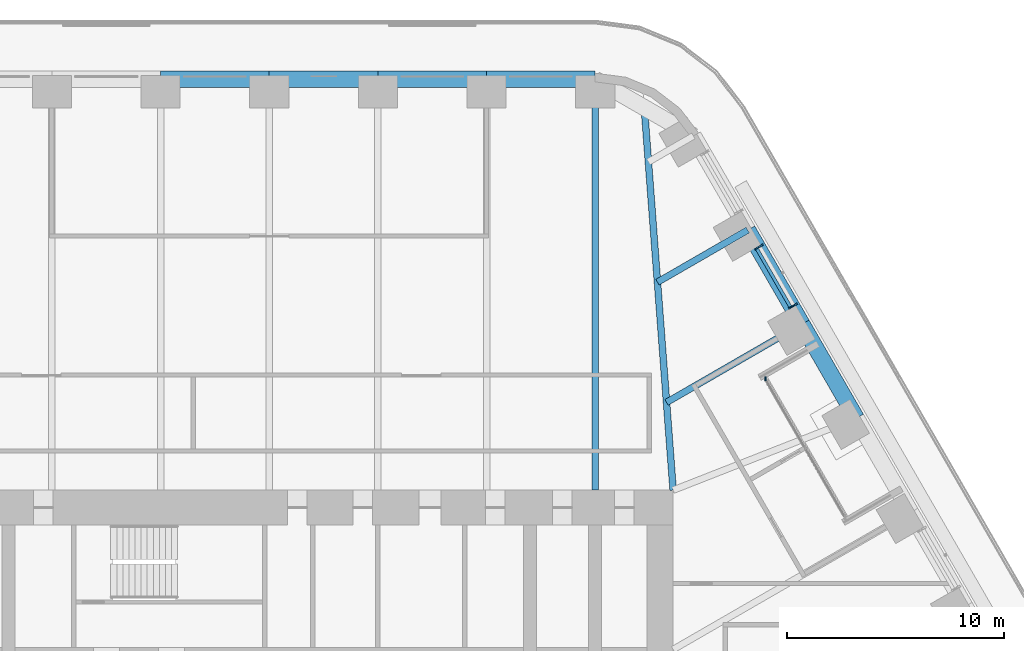
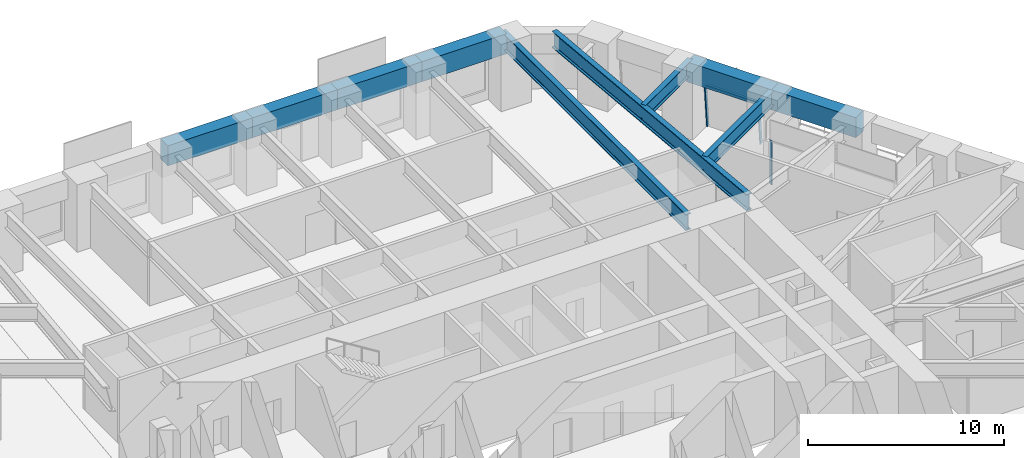
# One storey, part 12 of 24: 10 beams, 4 members, 2 elements without a shape of their own.
"""IFC4 building model written with IfcOpenShell, lengths in metres."""

from ifc_helpers import new_model, si_unit, direction, frame, origin, origin_2d, place, context, subcontext, project, spatial, rectangle, i_section, extrude, material, material_profile, profile_set, type_object, element, aggregate, save


model = new_model("IFC4")

# Units and contexts
model_context = context("Model", 3, precision=1e-05, world=origin(), true_north=direction((0.0, 1.0)))
body_context = subcontext(model_context, "Body", "Model", "MODEL_VIEW")
ifc_project = project(units=[si_unit("LENGTHUNIT", "METRE"), si_unit("AREAUNIT", "SQUARE_METRE"), si_unit("VOLUMEUNIT", "CUBIC_METRE"), si_unit("PLANEANGLEUNIT", "RADIAN"), si_unit("MASSUNIT", "GRAM", prefix="KILO")], contexts=[model_context])

# Site, building, storey
site_placement = place(None, origin())
site = spatial("IfcSite", under=ifc_project, at=site_placement, CompositionType="ELEMENT")
building_placement = place(site_placement, origin())
building = spatial("IfcBuilding", under=site, at=building_placement, Name="Tarfa Lantern Tower", CompositionType="ELEMENT")
storey_placement = place(building_placement, frame((0.0, 0.0, 136.300048828125)))
storey = spatial("IfcBuildingStorey", under=building, at=storey_placement, Name="L30", CompositionType="ELEMENT", Elevation=136.300048828125)

# Curtain wall, members
ifc_material_1 = material(Name="Aluminium framed curtain wall", Category="aluminium")
curtain_wall_type_1 = type_object("IfcCurtainWallType", Name="CW2 CANTED GLAZING MID ZONE 2750", PredefinedType="USERDEFINED", material=ifc_material_1)
curtain_wall_1_placement = place(storey_placement, origin())
curtain_wall_1 = element("IfcCurtainWall", 1, at=curtain_wall_1_placement, inside=storey, type_object=curtain_wall_type_1, Name="CW2 NEB L30", ObjectType="CURTAIN WALL", PredefinedType="USERDEFINED")
ifc_material_2 = material(Name="Aluminium mullion", Category="aluminium")
ifc_material_profile_1 = material_profile(ifc_material_2, rectangle(XDim=0.06494140625, YDim=0.199951171875, at=origin_2d()), Name="AL MULLION 65x200")
ifc_profile_set_1 = profile_set([ifc_material_profile_1], Name="Aluminium mullion")
member_type_1 = type_object("IfcMemberType", Name="CWM1 MULLION 65x200", PredefinedType="MULLION", material=ifc_profile_set_1)
member_1_placement = place(storey_placement, frame((24.22509765625, 20.8408203125, 0.0), z_axis=(-0.078422950161, -0.045267813396, 0.995891894715), x_axis=(0.499919672301, -0.866071776036, 0.0)))
member_1 = element("IfcMember", 2, at=member_1_placement, type_object=member_type_1, Name="CW2 mullion 1", PredefinedType="MULLION", context=body_context, shape_type="SweptSolid", body=[
    extrude(rectangle(XDim=0.06494140625, YDim=0.199951171875, at=origin_2d()), origin(), (0.0, 0.0, 1.0), 2.76123046875),
])
member_2_placement = place(storey_placement, frame((22.65576171875, 23.55908203125, 0.0), z_axis=(-0.078422950161, -0.045267813396, 0.995891894715), x_axis=(0.499919672301, -0.866071776036, 0.0)))
member_2 = element("IfcMember", 3, at=member_2_placement, type_object=member_type_1, Name="CW2 mullion 2", PredefinedType="MULLION", context=body_context, shape_type="SweptSolid", body=[
    extrude(rectangle(XDim=0.06494140625, YDim=0.199951171875, at=origin_2d()), origin(), (0.0, 0.0, 1.0), 2.76123046875),
])

# Curtain wall, member
curtain_wall_type_2 = type_object("IfcCurtainWallType", Name="CW10 LOGGIA GLAZING 2750", PredefinedType="USERDEFINED", material=ifc_material_1)
curtain_wall_2_placement = place(storey_placement, origin())
curtain_wall_2 = element("IfcCurtainWall", 4, at=curtain_wall_2_placement, inside=storey, type_object=curtain_wall_type_2, Name="CW10 NEL L30", ObjectType="CURTAIN WALL", PredefinedType="USERDEFINED")
member_3_placement = place(storey_placement, frame((22.84619140625, 17.429443359375, 0.0), z_axis=(0.0, 0.0, 1.0), x_axis=(1.0, 0.0, 0.0)))
member_3 = element("IfcMember", 5, at=member_3_placement, type_object=member_type_1, Name="CW10 mullion 3", PredefinedType="MULLION", context=body_context, shape_type="SweptSolid", body=[
    extrude(rectangle(XDim=0.06494140625, YDim=0.199951171875, at=origin_2d()), origin(), (0.0, 0.0, 1.0), 2.75),
])
aggregate(curtain_wall_2, [member_3])

# Member
ifc_material_3 = material(Name="Aluminium transom", Category="aluminium")
ifc_material_profile_2 = material_profile(ifc_material_3, rectangle(XDim=0.14990234375, YDim=0.06494140625, at=origin_2d()), Name="AL TRANSOM 150x65")
ifc_profile_set_2 = profile_set([ifc_material_profile_2], Name="Aluminium transom")
member_type_2 = type_object("IfcMemberType", Name="CWT1 TRANSOM 150x65", PredefinedType="USERDEFINED", material=ifc_profile_set_2)
member_4_placement = place(storey_placement, frame((23.994873046875, 20.74560546875, 2.717529296875), z_axis=(-0.500008936691, 0.866020244122, 0.0), x_axis=(-0.866020244122, -0.500008936691, 0.0)))
member_4 = element("IfcMember", 6, at=member_4_placement, type_object=member_type_2, Name="CW2 transom 1.2", ObjectType="TRANSOM", PredefinedType="USERDEFINED", context=body_context, shape_type="SweptSolid", body=[
    extrude(rectangle(XDim=0.14990234375, YDim=0.06494140625, at=origin_2d()), origin(), (0.0, 0.0, 1.0), 3.07373046875),
])

aggregate(curtain_wall_1, [member_1, member_2, member_4])

# Beams
ifc_material_4 = material(Name="Concrete C80/95", Category="concrete")
ifc_material_profile_3 = material_profile(ifc_material_4, rectangle(XDim=0.75, YDim=1.25, at=origin_2d()), Name="RC 750x1250")
ifc_profile_set_3 = profile_set([ifc_material_profile_3], Name="Concrete C80/95")
beam_type_1 = type_object("IfcBeamType", Name="EB2 RC 750x1250", PredefinedType="SPANDREL", material=ifc_profile_set_3)
for number, where, z_axis, x_axis, name in (
    (7, (27.037353515625, 15.610107421875, 3.375), (-0.500022324899, 0.866012514114, 0.0), (-0.866012514114, -0.500022324899, 0.0), "Edge beam NE3"),
    (8, (24.535400390625, 19.943359375, 3.375), (-0.49998573051, 0.866033642122, 0.0), (-0.866033642122, -0.49998573051, 0.0), "Edge beam NE4"),
    (9, (15.010986328125, 31.219970703125, 3.375), (-1.0, 0.0, 0.0), (0.0, -1.0, 0.0), "Edge beam N0"),
    (10, (10.00732421875, 31.219970703125, 3.375), (-1.0, 0.0, 0.0), (0.0, -1.0, 0.0), "Edge beam N1"),
    (11, (5.003662109375, 31.219970703125, 3.375), (-1.0, 0.0, 0.0), (0.0, -1.0, 0.0), "Edge beam N2"),
    (12, (0.0, 31.219970703125, 3.375), (-1.0, 0.0, 0.0), (0.0, -1.0, 0.0), "Edge beam N3"),
):
    element("IfcBeam", number, at=place(storey_placement, frame(where, z_axis=z_axis, x_axis=x_axis)), inside=storey, type_object=beam_type_1, Name=name, PredefinedType="SPANDREL", context=body_context, shape_type="SweptSolid", body=[
        extrude(rectangle(XDim=0.75, YDim=1.25, at=origin_2d()), origin(), (0.0, 0.0, 1.0), 5.003662109375),
    ])
ifc_material_5 = material(Name="Steel S460M", Category="steel")
ifc_material_profile_4 = material_profile(ifc_material_5, i_section(OverallWidth=0.302001953125, OverallDepth=1.008056640625, WebThickness=0.02099609375, FlangeThickness=0.0400390625, FilletRadius=0.030029296875, at=origin_2d()), Name="UB1016x305x349")
ifc_profile_set_4 = profile_set([ifc_material_profile_4], Name="Steel S460M")
beam_type_2 = type_object("IfcBeamType", Name="UB1016x305x349", PredefinedType="BEAM", material=ifc_profile_set_4)
beam_1_placement = place(storey_placement, frame((15.010986328125, 31.219970703125, 3.495849609375), z_axis=(0.0, -1.0, 0.0), x_axis=(1.0, 0.0, 0.0)))
element("IfcBeam", 13, at=beam_1_placement, inside=storey, type_object=beam_type_2, Name="Floor beam N0", PredefinedType="BEAM", context=body_context, shape_type="SweptSolid", body=[
    extrude(i_section(OverallWidth=0.302001953125, OverallDepth=1.008056640625, WebThickness=0.02099609375, FlangeThickness=0.0400390625, FilletRadius=0.030029296875, at=origin_2d()), origin(), (0.0, 0.0, 1.0), 18.919921875),
])
ifc_material_profile_5 = material_profile(ifc_material_5, i_section(OverallWidth=0.30859375, OverallDepth=1.036376953125, WebThickness=0.030029296875, FlangeThickness=0.05419921875, FilletRadius=0.030029296875, at=origin_2d()), Name="UB1016x305x487")
ifc_profile_set_5 = profile_set([ifc_material_profile_5], Name="Steel S460M")
beam_type_3 = type_object("IfcBeamType", Name="UB1016x305x487", PredefinedType="BEAM", material=ifc_profile_set_5)
beam_2_placement = place(storey_placement, frame((18.60009765625, 12.300048828125, 3.481689453125), z_axis=(-0.075211516041, 0.99716760269, 0.0), x_axis=(-0.99716760269, -0.075211516041, 0.0)))
element("IfcBeam", 14, at=beam_2_placement, inside=storey, type_object=beam_type_3, Name="Hip girder NE", PredefinedType="BEAM", context=body_context, shape_type="SweptSolid", body=[
    extrude(i_section(OverallWidth=0.30859375, OverallDepth=1.036376953125, WebThickness=0.030029296875, FlangeThickness=0.05419921875, FilletRadius=0.030029296875, at=origin_2d()), origin(), (0.0, 0.0, 1.0), 17.6650390625),
])
ifc_material_profile_6 = material_profile(ifc_material_5, i_section(OverallWidth=0.305419921875, OverallDepth=0.91845703125, WebThickness=0.017333984375, FlangeThickness=0.02783203125, FilletRadius=0.01904296875, at=origin_2d()), Name="UB914x305x253")
ifc_profile_set_6 = profile_set([ifc_material_profile_6], Name="Steel S460M")
beam_type_4 = type_object("IfcBeamType", Name="UB914x305x253", PredefinedType="BEAM", material=ifc_profile_set_6)
beam_3_placement = place(storey_placement, frame((24.535400390625, 19.943359375, 3.540771484375), z_axis=(-0.86602647304, -0.499998147991, 0.0), x_axis=(0.499998147991, -0.86602647304, 0.0)))
element("IfcBeam", 15, at=beam_3_placement, inside=storey, type_object=beam_type_4, Name="Floor beam NE4", PredefinedType="BEAM", context=body_context, shape_type="SweptSolid", body=[
    extrude(i_section(OverallWidth=0.305419921875, OverallDepth=0.91845703125, WebThickness=0.017333984375, FlangeThickness=0.02783203125, FilletRadius=0.01904296875, at=origin_2d()), origin(), (0.0, 0.0, 1.0), 7.20556640625),
])
beam_4_placement = place(storey_placement, frame((22.03369140625, 24.276611328125, 3.540771484375), z_axis=(-0.866030550462, -0.499991085587, 0.0), x_axis=(0.499991085587, -0.866030550462, 0.0)))
element("IfcBeam", 16, at=beam_4_placement, inside=storey, type_object=beam_type_4, Name="Floor beam NE5", PredefinedType="BEAM", context=body_context, shape_type="SweptSolid", body=[
    extrude(i_section(OverallWidth=0.305419921875, OverallDepth=0.91845703125, WebThickness=0.017333984375, FlangeThickness=0.02783203125, FilletRadius=0.01904296875, at=origin_2d()), origin(), (0.0, 0.0, 1.0), 4.798828125),
])

save(model, "model.ifc")
